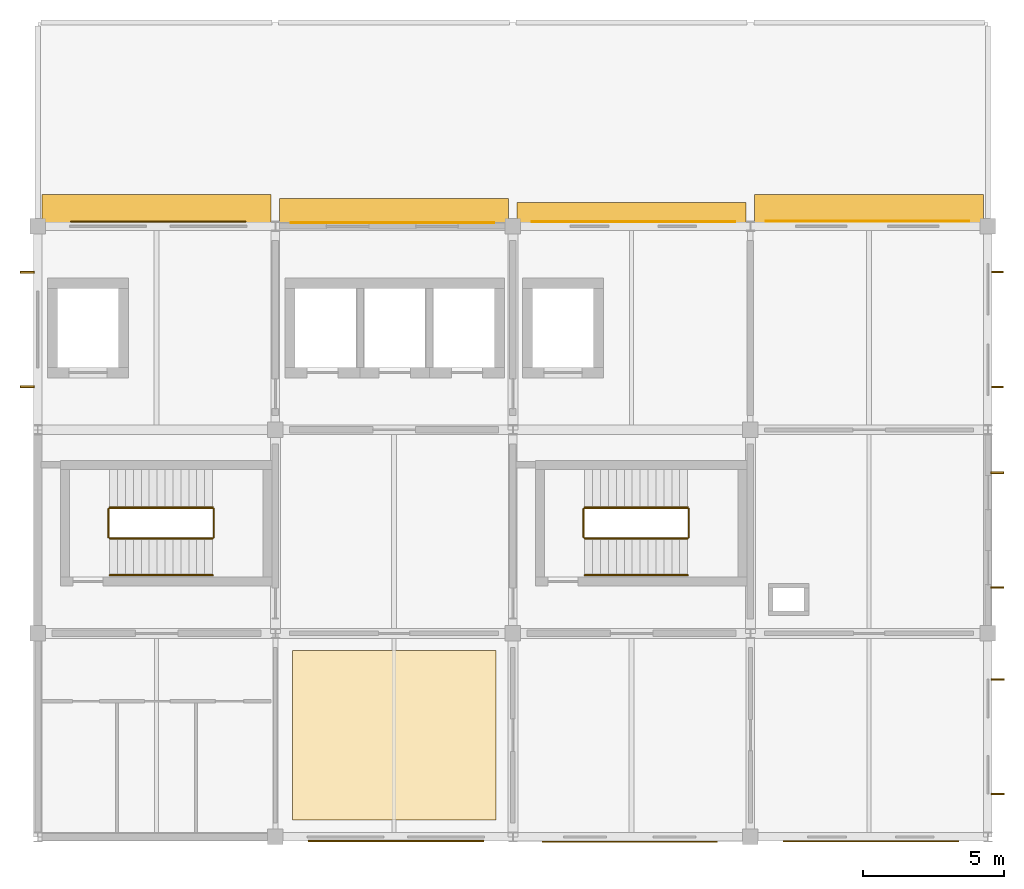
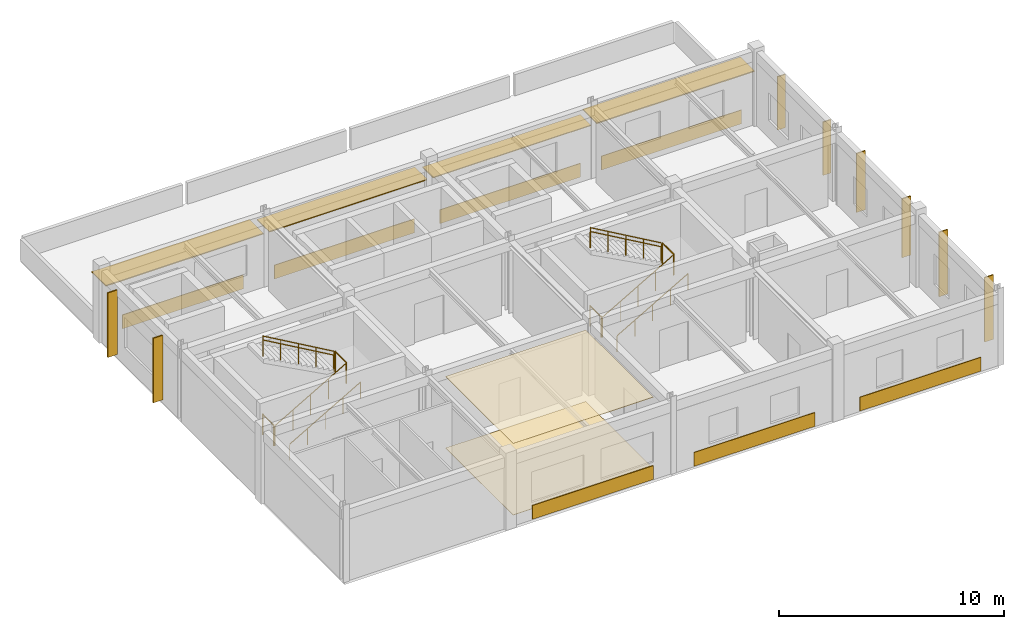
# One storey, part 5 of 5: 12 railings, 12 shading devices, 9 coverings.
"""IFC4 building model written with IfcOpenShell, lengths in metres."""

from ifc_helpers import new_model, si_unit, derived_unit, direction, frame, origin, origin_2d, place, context, subcontext, project, spatial, polyline, rectangle, circle, outline, extrude, material, layer, layer_set, type_object, element, save


model = new_model("IFC4")

# Units and contexts
model_context = context("Model", 3, precision=1e-05, world=origin(), true_north=direction((0.0, 1.0)))
body_context = subcontext(model_context, "Body", "Model", "MODEL_VIEW")
ifc_project = project(units=[si_unit("LENGTHUNIT", "METRE"), si_unit("AREAUNIT", "SQUARE_METRE"), si_unit("VOLUMEUNIT", "CUBIC_METRE"), si_unit("PLANEANGLEUNIT", "RADIAN"), si_unit("MASSUNIT", "GRAM", prefix="KILO"), derived_unit("THERMALTRANSMITTANCEUNIT", [(si_unit("MASSUNIT", "GRAM", prefix="KILO"), 1), (si_unit("TIMEUNIT", "SECOND"), -3), (si_unit("THERMODYNAMICTEMPERATUREUNIT", "KELVIN"), -1)])], contexts=[model_context])

# Site, building, storey
site_placement = place(None, origin())
site = spatial("IfcSite", under=ifc_project, at=site_placement, CompositionType="ELEMENT")
building_placement = place(site_placement, origin())
building = spatial("IfcBuilding", under=site, at=building_placement, Name="Veldstrom Oceanarium and Marine Research Institute", CompositionType="ELEMENT")
storey_placement = place(building_placement, frame((0.0, 0.0, 64.800048828125)))
storey = spatial("IfcBuildingStorey", under=building, at=storey_placement, Name="L14", CompositionType="ELEMENT", Elevation=64.800048828125)

# Coverings
ifc_material_1 = material(Name="Anodised Aluminium Spandrel Rainscreen Cladding", Category="aluminium")
ifc_layer_1 = layer(ifc_material_1, 0.75)
ifc_layer_set_1 = layer_set([ifc_layer_1], Name="ARC-COV-CD1")
covering_type_1 = type_object("IfcCoveringType", Name="ARC-COV-CD1", PredefinedType="CLADDING", material=ifc_layer_set_1)
for number, where, z_axis, x_axis, name in (
    (1, (88.137451171875, 64.9208984375, 0.044921875), (0.0, 0.0, 1.0), (1.0, 0.0, 0.0), "Spandrel Rainscreen Cladding L14-176"),
    (2, (96.66259765625, 64.95849609375, 0.044921875), (0.0, 0.0, 1.0), (1.0, 0.0, 0.0), "Spandrel Rainscreen Cladding L14-178"),
    (3, (104.9375, 64.968505859375, 0.044921875), (0.0, 0.0, 1.0), (1.0, 0.0, 0.0), "Spandrel Rainscreen Cladding L14-182"),
):
    element("IfcCovering", number, at=place(storey_placement, frame(where, z_axis=z_axis, x_axis=x_axis)), inside=storey, type_object=covering_type_1, Name=name, PredefinedType="CLADDING", context=body_context, shape_type="SweptSolid", body=[
        extrude(rectangle(XDim=7.199951171875, YDim=0.034912109375, at=origin_2d()), origin(), (0.0, 0.0, 1.0), 0.75),
    ])
ifc_material_2 = material(Name="Terracotta Spandrel Rainscreen Cladding", Category="masonry")
ifc_layer_2 = layer(ifc_material_2, 0.75)
ifc_layer_set_2 = layer_set([ifc_layer_2], Name="ARC-COV-CD2")
covering_type_2 = type_object("IfcCoveringType", Name="ARC-COV-CD2", PredefinedType="CLADDING", material=ifc_layer_set_2)
for number, where, z_axis, x_axis, name in (
    (4, (79.862548828125, 64.9609375, 0.044921875), (0.0, 0.0, 1.0), (1.0, 0.0, 0.0), "Spandrel Rainscreen Cladding L14-173"),
    (5, (88.262451171875, 43.05908203125, 0.044921875), (0.0, 0.0, 1.0), (1.0, 0.0, 0.0), "Spandrel Rainscreen Cladding L14-175"),
    (6, (96.53759765625, 43.029052734375, 0.044921875), (0.0, 0.0, 1.0), (1.0, 0.0, 0.0), "Spandrel Rainscreen Cladding L14-177"),
    (7, (105.0625, 43.049072265625, 0.044921875), (0.0, 0.0, 1.0), (1.0, 0.0, 0.0), "Spandrel Rainscreen Cladding L14-179"),
):
    element("IfcCovering", number, at=place(storey_placement, frame(where, z_axis=z_axis, x_axis=x_axis)), inside=storey, type_object=covering_type_2, Name=name, PredefinedType="CLADDING", context=body_context, shape_type="SweptSolid", body=[
        extrude(rectangle(XDim=6.199951171875, YDim=0.0400390625, at=origin_2d()), origin(), (0.0, 0.0, 1.0), 0.75),
    ])
ifc_material_3 = material(Name="Mineral-Fibre Acoustic Ceiling Tile", Category="gypsum")
ifc_layer_3 = layer(ifc_material_3, 0.02490234375)
ifc_layer_set_3 = layer_set([ifc_layer_3], Name="ARC-COV-CL1")
covering_type_3 = type_object("IfcCoveringType", Name="ARC-COV-CL1", PredefinedType="CEILING", material=ifc_layer_set_3)
covering_1_placement = place(storey_placement, frame((0.0, 0.0, 3.875)))
element("IfcCovering", 8, at=covering_1_placement, inside=storey, type_object=covering_type_3, Name="Suspended Acoustic Ceiling L14", PredefinedType="CEILING", context=body_context, shape_type="SweptSolid", body=[
    extrude(outline(polyline([(84.60009765625, 43.800048828125), (91.800048828125, 43.800048828125), (91.800048828125, 49.800048828125), (84.60009765625, 49.800048828125), (84.60009765625, 43.800048828125)])), origin(), (0.0, 0.0, 1.0), 0.02490234375),
])
ifc_material_4 = material(Name="Polished Terrazzo and Marine Epoxy Flooring", Category="concrete")
ifc_layer_4 = layer(ifc_material_4, 0.02001953125)
ifc_layer_set_4 = layer_set([ifc_layer_4], Name="ARC-COV-FL1")
covering_type_4 = type_object("IfcCoveringType", Name="ARC-COV-FL1", PredefinedType="FLOORING", material=ifc_layer_set_4)
covering_2_placement = place(storey_placement, origin())
element("IfcCovering", 9, at=covering_2_placement, inside=storey, type_object=covering_type_4, Name="Terrazzo and Marine Epoxy Floor Finish L14", PredefinedType="FLOORING", context=body_context, shape_type="SweptSolid", body=[
    extrude(outline(polyline([(84.60009765625, 43.800048828125), (91.800048828125, 43.800048828125), (91.800048828125, 49.800048828125), (84.60009765625, 49.800048828125), (84.60009765625, 43.800048828125)])), origin(), (0.0, 0.0, 1.0), 0.02001953125),
])

# Railings
ifc_material_5 = material(Name="Duplex Stainless Steel Balustrade", Category="steel")
ifc_layer_5 = layer(ifc_material_5, 0.06005859375)
ifc_layer_set_5 = layer_set([ifc_layer_5], Name="ARC-RLG-GR1")
railing_type_1 = type_object("IfcRailingType", Name="ARC-RLG-GR1", PredefinedType="GUARDRAIL", material=ifc_layer_set_5)
railing_1_placement = place(storey_placement, frame((78.10009765625, 53.800048828125, 0.0)))
element("IfcRailing", 10, at=railing_1_placement, inside=storey, type_object=railing_type_1, Name="Stair Well Landing Guard ST1 L14", PredefinedType="GUARDRAIL", context=body_context, shape_type="SweptSolid", body=[
    extrude(circle(Radius=0.02392578125, at=origin_2d()), frame((0.0, 0.0, 1.09619140625), z_axis=(0.0, 1.0, 0.0), x_axis=(-1.0, 0.0, 0.0)), (0.0, 0.0, 1.0), 1.0),
    extrude(circle(Radius=0.02099609375, at=origin_2d()), origin(), (0.0, 0.0, 1.0), 1.072021484375),
    extrude(circle(Radius=0.02099609375, at=origin_2d()), frame((0.0, 1.0, 0.0)), (0.0, 0.0, 1.0), 1.072021484375),
])
railing_2_placement = place(storey_placement, frame((78.139892578125, 53.760009765625, 0.0)))
element("IfcRailing", 11, at=railing_2_placement, inside=storey, type_object=railing_type_1, Name="Stair Flight Guardrail ST1-L14-1", PredefinedType="GUARDRAIL", context=body_context, shape_type="SweptSolid", body=[
    extrude(circle(Radius=0.02392578125, at=origin_2d()), frame((0.0, 0.0, 1.09619140625), z_axis=(0.866208797654, 0.0, 0.499682217882), x_axis=(0.0, 1.0, 0.0)), (0.0, 0.0, 1.0), 4.202392578125),
    extrude(circle(Radius=0.02099609375, at=origin_2d()), origin(), (0.0, 0.0, 1.0), 1.072021484375),
    extrude(circle(Radius=0.02099609375, at=origin_2d()), frame((0.91015625, 0.0, 0.52490234375)), (0.0, 0.0, 1.0), 1.072021484375),
    extrude(circle(Radius=0.02099609375, at=origin_2d()), frame((1.820068359375, 0.0, 1.0498046875)), (0.0, 0.0, 1.0), 1.072021484375),
    extrude(circle(Radius=0.02099609375, at=origin_2d()), frame((2.72998046875, 0.0, 1.574951171875)), (0.0, 0.0, 1.0), 1.072021484375),
    extrude(circle(Radius=0.02099609375, at=origin_2d()), frame((3.64013671875, 0.0, 2.099853515625)), (0.0, 0.0, 1.0), 1.072021484375),
])
railing_3_placement = place(storey_placement, frame((81.820068359375, 53.800048828125, 2.099853515625)))
element("IfcRailing", 12, at=railing_3_placement, inside=storey, type_object=railing_type_1, Name="Stair Half-Landing Guardrail ST1-L14", PredefinedType="GUARDRAIL", context=body_context, shape_type="SweptSolid", body=[
    extrude(circle(Radius=0.02392578125, at=origin_2d()), frame((0.0, 0.0, 1.09619140625), z_axis=(0.0, 1.0, 0.0), x_axis=(-1.0, 0.0, 0.0)), (0.0, 0.0, 1.0), 1.0),
    extrude(circle(Radius=0.02099609375, at=origin_2d()), origin(), (0.0, 0.0, 1.0), 1.072021484375),
    extrude(circle(Radius=0.02099609375, at=origin_2d()), frame((0.0, 1.0, 0.0)), (0.0, 0.0, 1.0), 1.072021484375),
])
railing_4_placement = place(storey_placement, frame((81.780029296875, 54.840087890625, 2.099853515625)))
element("IfcRailing", 13, at=railing_4_placement, inside=storey, type_object=railing_type_1, Name="Stair Flight Guardrail ST1-L14-2", PredefinedType="GUARDRAIL", context=body_context, shape_type="SweptSolid", body=[
    extrude(circle(Radius=0.02392578125, at=origin_2d()), frame((0.0, 0.0, 1.09619140625), z_axis=(-0.86618365172, 0.0, 0.499725806311), x_axis=(0.0, -1.0, 0.0)), (0.0, 0.0, 1.0), 4.202392578125),
    extrude(circle(Radius=0.02099609375, at=origin_2d()), origin(), (0.0, 0.0, 1.0), 1.072021484375),
    extrude(circle(Radius=0.02099609375, at=origin_2d()), frame((-0.91015625, 0.0, 0.52490234375)), (0.0, 0.0, 1.0), 1.072021484375),
    extrude(circle(Radius=0.02099609375, at=origin_2d()), frame((-1.820068359375, 0.0, 1.050048828125)), (0.0, 0.0, 1.0), 1.072021484375),
    extrude(circle(Radius=0.02099609375, at=origin_2d()), frame((-2.72998046875, 0.0, 1.5751953125)), (0.0, 0.0, 1.0), 1.072021484375),
    extrude(circle(Radius=0.02099609375, at=origin_2d()), frame((-3.64013671875, 0.0, 2.10009765625)), (0.0, 0.0, 1.0), 1.072021484375),
])
railing_5_placement = place(storey_placement, frame((94.89990234375, 53.800048828125, 0.0)))
element("IfcRailing", 14, at=railing_5_placement, inside=storey, type_object=railing_type_1, Name="Stair Well Landing Guard ST2 L14", PredefinedType="GUARDRAIL", context=body_context, shape_type="SweptSolid", body=[
    extrude(circle(Radius=0.02392578125, at=origin_2d()), frame((0.0, 0.0, 1.09619140625), z_axis=(0.0, 1.0, 0.0), x_axis=(-1.0, 0.0, 0.0)), (0.0, 0.0, 1.0), 1.0),
    extrude(circle(Radius=0.02099609375, at=origin_2d()), origin(), (0.0, 0.0, 1.0), 1.072021484375),
    extrude(circle(Radius=0.02099609375, at=origin_2d()), frame((0.0, 1.0, 0.0)), (0.0, 0.0, 1.0), 1.072021484375),
])
railing_6_placement = place(storey_placement, frame((94.93994140625, 53.760009765625, 0.0)))
element("IfcRailing", 15, at=railing_6_placement, inside=storey, type_object=railing_type_1, Name="Stair Flight Guardrail ST2-L14-1", PredefinedType="GUARDRAIL", context=body_context, shape_type="SweptSolid", body=[
    extrude(circle(Radius=0.02392578125, at=origin_2d()), frame((0.0, 0.0, 1.09619140625), z_axis=(0.866208797654, 0.0, 0.499682217882), x_axis=(0.0, 1.0, 0.0)), (0.0, 0.0, 1.0), 4.202392578125),
    extrude(circle(Radius=0.02099609375, at=origin_2d()), origin(), (0.0, 0.0, 1.0), 1.072021484375),
    extrude(circle(Radius=0.02099609375, at=origin_2d()), frame((0.91015625, 0.0, 0.52490234375)), (0.0, 0.0, 1.0), 1.072021484375),
    extrude(circle(Radius=0.02099609375, at=origin_2d()), frame((1.820068359375, 0.0, 1.0498046875)), (0.0, 0.0, 1.0), 1.072021484375),
    extrude(circle(Radius=0.02099609375, at=origin_2d()), frame((2.72998046875, 0.0, 1.574951171875)), (0.0, 0.0, 1.0), 1.072021484375),
    extrude(circle(Radius=0.02099609375, at=origin_2d()), frame((3.64013671875, 0.0, 2.099853515625)), (0.0, 0.0, 1.0), 1.072021484375),
])
railing_7_placement = place(storey_placement, frame((98.6201171875, 53.800048828125, 2.099853515625)))
element("IfcRailing", 16, at=railing_7_placement, inside=storey, type_object=railing_type_1, Name="Stair Half-Landing Guardrail ST2-L14", PredefinedType="GUARDRAIL", context=body_context, shape_type="SweptSolid", body=[
    extrude(circle(Radius=0.02392578125, at=origin_2d()), frame((0.0, 0.0, 1.09619140625), z_axis=(0.0, 1.0, 0.0), x_axis=(-1.0, 0.0, 0.0)), (0.0, 0.0, 1.0), 1.0),
    extrude(circle(Radius=0.02099609375, at=origin_2d()), origin(), (0.0, 0.0, 1.0), 1.072021484375),
    extrude(circle(Radius=0.02099609375, at=origin_2d()), frame((0.0, 1.0, 0.0)), (0.0, 0.0, 1.0), 1.072021484375),
])
railing_8_placement = place(storey_placement, frame((98.580078125, 54.840087890625, 2.099853515625)))
element("IfcRailing", 17, at=railing_8_placement, inside=storey, type_object=railing_type_1, Name="Stair Flight Guardrail ST2-L14-2", PredefinedType="GUARDRAIL", context=body_context, shape_type="SweptSolid", body=[
    extrude(circle(Radius=0.02392578125, at=origin_2d()), frame((0.0, 0.0, 1.09619140625), z_axis=(-0.86618365172, 0.0, 0.499725806311), x_axis=(0.0, -1.0, 0.0)), (0.0, 0.0, 1.0), 4.202392578125),
    extrude(circle(Radius=0.02099609375, at=origin_2d()), origin(), (0.0, 0.0, 1.0), 1.072021484375),
    extrude(circle(Radius=0.02099609375, at=origin_2d()), frame((-0.91015625, 0.0, 0.52490234375)), (0.0, 0.0, 1.0), 1.072021484375),
    extrude(circle(Radius=0.02099609375, at=origin_2d()), frame((-1.820068359375, 0.0, 1.050048828125)), (0.0, 0.0, 1.0), 1.072021484375),
    extrude(circle(Radius=0.02099609375, at=origin_2d()), frame((-2.72998046875, 0.0, 1.5751953125)), (0.0, 0.0, 1.0), 1.072021484375),
    extrude(circle(Radius=0.02099609375, at=origin_2d()), frame((-3.64013671875, 0.0, 2.10009765625)), (0.0, 0.0, 1.0), 1.072021484375),
])
ifc_material_6 = material(Name="Brushed Stainless Steel Handrail", Category="steel")
ifc_layer_6 = layer(ifc_material_6, 0.050048828125)
ifc_layer_set_6 = layer_set([ifc_layer_6], Name="ARC-RLG-HR1")
railing_type_2 = type_object("IfcRailingType", Name="ARC-RLG-HR1", PredefinedType="HANDRAIL", material=ifc_layer_set_6)
railing_9_placement = place(storey_placement, frame((78.139892578125, 52.4599609375, 0.0)))
element("IfcRailing", 18, at=railing_9_placement, inside=storey, type_object=railing_type_2, Name="Stair Wall Handrail ST1-L14-1", PredefinedType="HANDRAIL", context=body_context, shape_type="SweptSolid", body=[
    extrude(circle(Radius=0.02392578125, at=origin_2d()), frame((0.0, 0.0, 0.8759765625), z_axis=(0.866208797654, 0.0, 0.499682217882), x_axis=(0.0, 1.0, 0.0)), (0.0, 0.0, 1.0), 4.202392578125),
    extrude(circle(Radius=0.02099609375, at=origin_2d()), origin(), (0.0, 0.0, 1.0), 0.851806640625),
    extrude(circle(Radius=0.02099609375, at=origin_2d()), frame((0.91015625, 0.0, 0.52490234375)), (0.0, 0.0, 1.0), 0.851806640625),
    extrude(circle(Radius=0.02099609375, at=origin_2d()), frame((1.820068359375, 0.0, 1.0498046875)), (0.0, 0.0, 1.0), 0.851806640625),
    extrude(circle(Radius=0.02099609375, at=origin_2d()), frame((2.72998046875, 0.0, 1.574951171875)), (0.0, 0.0, 1.0), 0.851806640625),
    extrude(circle(Radius=0.02099609375, at=origin_2d()), frame((3.64013671875, 0.0, 2.099853515625)), (0.0, 0.0, 1.0), 0.851806640625),
])
railing_10_placement = place(storey_placement, frame((81.780029296875, 54.860107421875, 2.099853515625)))
element("IfcRailing", 19, at=railing_10_placement, inside=storey, type_object=railing_type_2, Name="Stair Wall Handrail ST1-L14-2", PredefinedType="HANDRAIL", context=body_context, shape_type="SweptSolid", body=[
    extrude(circle(Radius=0.02392578125, at=origin_2d()), frame((0.0, 0.0, 0.8759765625), z_axis=(-0.86618365172, 0.0, 0.499725806311), x_axis=(0.0, -1.0, 0.0)), (0.0, 0.0, 1.0), 4.202392578125),
    extrude(circle(Radius=0.02099609375, at=origin_2d()), origin(), (0.0, 0.0, 1.0), 0.851806640625),
    extrude(circle(Radius=0.02099609375, at=origin_2d()), frame((-0.91015625, 0.0, 0.52490234375)), (0.0, 0.0, 1.0), 0.851806640625),
    extrude(circle(Radius=0.02099609375, at=origin_2d()), frame((-1.820068359375, 0.0, 1.050048828125)), (0.0, 0.0, 1.0), 0.851806640625),
    extrude(circle(Radius=0.02099609375, at=origin_2d()), frame((-2.72998046875, 0.0, 1.5751953125)), (0.0, 0.0, 1.0), 0.851806640625),
    extrude(circle(Radius=0.02099609375, at=origin_2d()), frame((-3.64013671875, 0.0, 2.10009765625)), (0.0, 0.0, 1.0), 0.851806640625),
])
railing_11_placement = place(storey_placement, frame((94.93994140625, 52.4599609375, 0.0)))
element("IfcRailing", 20, at=railing_11_placement, inside=storey, type_object=railing_type_2, Name="Stair Wall Handrail ST2-L14-1", PredefinedType="HANDRAIL", context=body_context, shape_type="SweptSolid", body=[
    extrude(circle(Radius=0.02392578125, at=origin_2d()), frame((0.0, 0.0, 0.8759765625), z_axis=(0.866208797654, 0.0, 0.499682217882), x_axis=(0.0, 1.0, 0.0)), (0.0, 0.0, 1.0), 4.202392578125),
    extrude(circle(Radius=0.02099609375, at=origin_2d()), origin(), (0.0, 0.0, 1.0), 0.851806640625),
    extrude(circle(Radius=0.02099609375, at=origin_2d()), frame((0.91015625, 0.0, 0.52490234375)), (0.0, 0.0, 1.0), 0.851806640625),
    extrude(circle(Radius=0.02099609375, at=origin_2d()), frame((1.820068359375, 0.0, 1.0498046875)), (0.0, 0.0, 1.0), 0.851806640625),
    extrude(circle(Radius=0.02099609375, at=origin_2d()), frame((2.72998046875, 0.0, 1.574951171875)), (0.0, 0.0, 1.0), 0.851806640625),
    extrude(circle(Radius=0.02099609375, at=origin_2d()), frame((3.64013671875, 0.0, 2.099853515625)), (0.0, 0.0, 1.0), 0.851806640625),
])
railing_12_placement = place(storey_placement, frame((98.580078125, 54.860107421875, 2.099853515625)))
element("IfcRailing", 21, at=railing_12_placement, inside=storey, type_object=railing_type_2, Name="Stair Wall Handrail ST2-L14-2", PredefinedType="HANDRAIL", context=body_context, shape_type="SweptSolid", body=[
    extrude(circle(Radius=0.02392578125, at=origin_2d()), frame((0.0, 0.0, 0.8759765625), z_axis=(-0.86618365172, 0.0, 0.499725806311), x_axis=(0.0, -1.0, 0.0)), (0.0, 0.0, 1.0), 4.202392578125),
    extrude(circle(Radius=0.02099609375, at=origin_2d()), origin(), (0.0, 0.0, 1.0), 0.851806640625),
    extrude(circle(Radius=0.02099609375, at=origin_2d()), frame((-0.91015625, 0.0, 0.52490234375)), (0.0, 0.0, 1.0), 0.851806640625),
    extrude(circle(Radius=0.02099609375, at=origin_2d()), frame((-1.820068359375, 0.0, 1.050048828125)), (0.0, 0.0, 1.0), 0.851806640625),
    extrude(circle(Radius=0.02099609375, at=origin_2d()), frame((-2.72998046875, 0.0, 1.5751953125)), (0.0, 0.0, 1.0), 0.851806640625),
    extrude(circle(Radius=0.02099609375, at=origin_2d()), frame((-3.64013671875, 0.0, 2.10009765625)), (0.0, 0.0, 1.0), 0.851806640625),
])

# Shading devices
ifc_material_7 = material(Name="Precast Terracotta Brise-Soleil Louvre", Category="masonry")
ifc_layer_7 = layer(ifc_material_7, 3.60009765625)
ifc_layer_set_7 = layer_set([ifc_layer_7], Name="ARC-SHD-BS01")
shading_device_type_1 = type_object("IfcShadingDeviceType", Name="ARC-SHD-BS01", PredefinedType="JALOUSIE", material=ifc_layer_set_7)
for number, where, z_axis, x_axis, name in (
    (22, (109.544921875, 44.720947265625, 0.199951171875), (0.0, 0.0, 1.0), (1.0, 0.0, 0.0), "Terracotta Brise-Soleil Louvre L14-180"),
    (23, (109.544921875, 48.77392578125, 0.199951171875), (0.0, 0.0, 1.0), (1.0, 0.0, 0.0), "Terracotta Brise-Soleil Louvre L14-180"),
):
    element("IfcShadingDevice", number, at=place(storey_placement, frame(where, z_axis=z_axis, x_axis=x_axis)), inside=storey, type_object=shading_device_type_1, Name=name, PredefinedType="JALOUSIE", context=body_context, shape_type="SweptSolid", body=[
        extrude(rectangle(XDim=0.449951171875, YDim=0.06005859375, at=origin_2d()), origin(), (0.0, 0.0, 1.0), 3.5),
    ])
ifc_material_8 = material(Name="Precast Terracotta Brise-Soleil Louvre", Category="masonry")
ifc_layer_8 = layer(ifc_material_8, 3.199951171875)
ifc_layer_set_8 = layer_set([ifc_layer_8], Name="ARC-SHD-BS02")
shading_device_type_2 = type_object("IfcShadingDeviceType", Name="ARC-SHD-BS02", PredefinedType="JALOUSIE", material=ifc_layer_set_8)
for number, where, z_axis, x_axis, name in (
    (24, (109.527587890625, 52.02587890625, 0.35009765625), (0.0, 0.0, 1.0), (1.0, 0.0, 0.0), "Terracotta Brise-Soleil Louvre L14-181"),
    (25, (109.527587890625, 56.0791015625, 0.35009765625), (0.0, 0.0, 1.0), (1.0, 0.0, 0.0), "Terracotta Brise-Soleil Louvre L14-181"),
):
    element("IfcShadingDevice", number, at=place(storey_placement, frame(where, z_axis=z_axis, x_axis=x_axis)), inside=storey, type_object=shading_device_type_2, Name=name, PredefinedType="JALOUSIE", context=body_context, shape_type="SweptSolid", body=[
        extrude(rectangle(XDim=0.449951171875, YDim=0.06005859375, at=origin_2d()), origin(), (0.0, 0.0, 1.0), 3.199951171875),
    ])
ifc_material_9 = material(Name="Precast Terracotta Brise-Soleil Louvre", Category="masonry")
ifc_layer_9 = layer(ifc_material_9, 4.199951171875)
ifc_layer_set_9 = layer_set([ifc_layer_9], Name="ARC-SHD-BS03")
shading_device_type_3 = type_object("IfcShadingDeviceType", Name="ARC-SHD-BS03", PredefinedType="JALOUSIE", material=ifc_layer_set_9)
for number, where, z_axis, x_axis, name in (
    (26, (75.219970703125, 59.12109375, 0.199951171875), (0.0, 0.0, 1.0), (1.0, 0.0, 0.0), "Terracotta Brise-Soleil Louvre L14-174"),
    (27, (75.219970703125, 63.174072265625, 0.199951171875), (0.0, 0.0, 1.0), (1.0, 0.0, 0.0), "Terracotta Brise-Soleil Louvre L14-174"),
):
    element("IfcShadingDevice", number, at=place(storey_placement, frame(where, z_axis=z_axis, x_axis=x_axis)), inside=storey, type_object=shading_device_type_3, Name=name, PredefinedType="JALOUSIE", context=body_context, shape_type="SweptSolid", body=[
        extrude(rectangle(XDim=0.5, YDim=0.06494140625, at=origin_2d()), origin(), (0.0, 0.0, 1.0), 3.5),
    ])
ifc_material_10 = material(Name="Precast Terracotta Brise-Soleil Louvre", Category="masonry")
ifc_layer_10 = layer(ifc_material_10, 2.89990234375)
ifc_layer_set_10 = layer_set([ifc_layer_10], Name="ARC-SHD-BS04")
shading_device_type_4 = type_object("IfcShadingDeviceType", Name="ARC-SHD-BS04", PredefinedType="JALOUSIE", material=ifc_layer_set_10)
for number, where, z_axis, x_axis, name in (
    (28, (109.5400390625, 59.12109375, 0.5), (0.0, 0.0, 1.0), (1.0, 0.0, 0.0), "Terracotta Brise-Soleil Louvre L14-183"),
    (29, (109.5400390625, 63.174072265625, 0.5), (0.0, 0.0, 1.0), (1.0, 0.0, 0.0), "Terracotta Brise-Soleil Louvre L14-183"),
):
    element("IfcShadingDevice", number, at=place(storey_placement, frame(where, z_axis=z_axis, x_axis=x_axis)), inside=storey, type_object=shading_device_type_4, Name=name, PredefinedType="JALOUSIE", context=body_context, shape_type="SweptSolid", body=[
        extrude(rectangle(XDim=0.39990234375, YDim=0.054931640625, at=origin_2d()), origin(), (0.0, 0.0, 1.0), 2.89990234375),
    ])
ifc_material_11 = material(Name="Perforated Anodised Aluminium Louvre", Category="aluminium")
ifc_layer_11 = layer(ifc_material_11, 0.054931640625)
ifc_layer_set_11 = layer_set([ifc_layer_11], Name="ARC-SHD-SH01")
shading_device_type_5 = type_object("IfcShadingDeviceType", Name="ARC-SHD-SH01", PredefinedType="AWNING", material=ifc_layer_set_11)
for number, where, z_axis, x_axis, name in (
    (30, (79.800048828125, 65.304931640625, 2.85009765625), (0.0, 0.0, 1.0), (1.0, 0.0, 0.0), "North Solar Canopy Louvre L14-10"),
    (31, (105.0, 65.304931640625, 2.85009765625), (0.0, 0.0, 1.0), (1.0, 0.0, 0.0), "North Solar Canopy Louvre L14-13"),
):
    element("IfcShadingDevice", number, at=place(storey_placement, frame(where, z_axis=z_axis, x_axis=x_axis)), inside=storey, type_object=shading_device_type_5, Name=name, PredefinedType="AWNING", context=body_context, shape_type="SweptSolid", body=[
        extrude(rectangle(XDim=8.10009765625, YDim=1.25, at=origin_2d()), origin(), (0.0, 0.0, 1.0), 0.054931640625),
    ])
ifc_material_12 = material(Name="Perforated Anodised Aluminium Louvre", Category="aluminium")
ifc_layer_12 = layer(ifc_material_12, 0.050048828125)
ifc_layer_set_12 = layer_set([ifc_layer_12], Name="ARC-SHD-SH02")
shading_device_type_6 = type_object("IfcShadingDeviceType", Name="ARC-SHD-SH02", PredefinedType="AWNING", material=ifc_layer_set_12)
shading_device_1_placement = place(storey_placement, frame((88.199951171875, 65.22998046875, 2.85009765625), z_axis=(0.0, 0.0, 1.0), x_axis=(1.0, 0.0, 0.0)))
element("IfcShadingDevice", 32, at=shading_device_1_placement, inside=storey, type_object=shading_device_type_6, Name="North Solar Canopy Louvre L14-11", PredefinedType="AWNING", context=body_context, shape_type="SweptSolid", body=[
    extrude(rectangle(XDim=8.10009765625, YDim=1.10009765625, at=origin_2d()), origin(), (0.0, 0.0, 1.0), 0.050048828125),
])
ifc_material_13 = material(Name="Perforated Anodised Aluminium Louvre", Category="aluminium")
ifc_layer_13 = layer(ifc_material_13, 0.044921875)
ifc_layer_set_13 = layer_set([ifc_layer_13], Name="ARC-SHD-SH03")
shading_device_type_7 = type_object("IfcShadingDeviceType", Name="ARC-SHD-SH03", PredefinedType="AWNING", material=ifc_layer_set_13)
shading_device_2_placement = place(storey_placement, frame((96.60009765625, 65.155029296875, 2.85009765625), z_axis=(0.0, 0.0, 1.0), x_axis=(1.0, 0.0, 0.0)))
element("IfcShadingDevice", 33, at=shading_device_2_placement, inside=storey, type_object=shading_device_type_7, Name="North Solar Canopy Louvre L14-12", PredefinedType="AWNING", context=body_context, shape_type="SweptSolid", body=[
    extrude(rectangle(XDim=8.10009765625, YDim=0.949951171875, at=origin_2d()), origin(), (0.0, 0.0, 1.0), 0.044921875),
])

save(model, "model.ifc")
